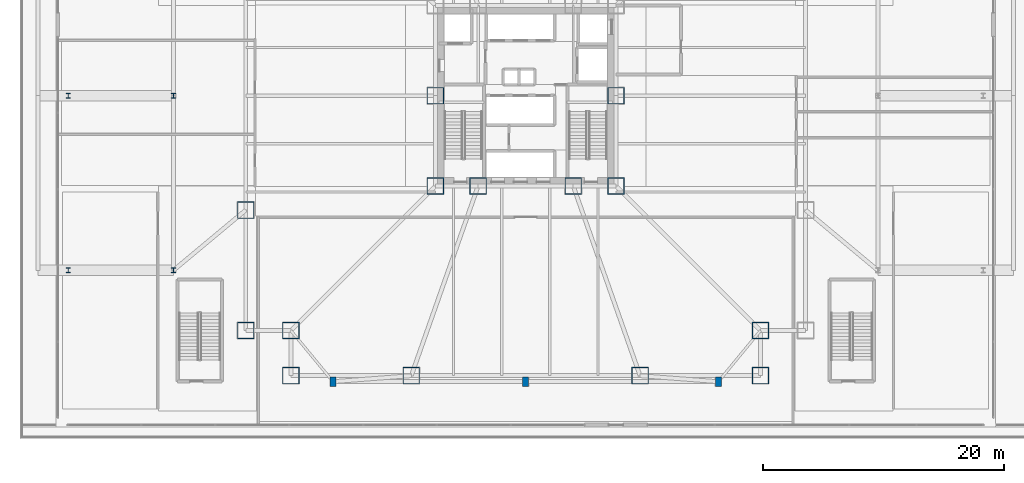
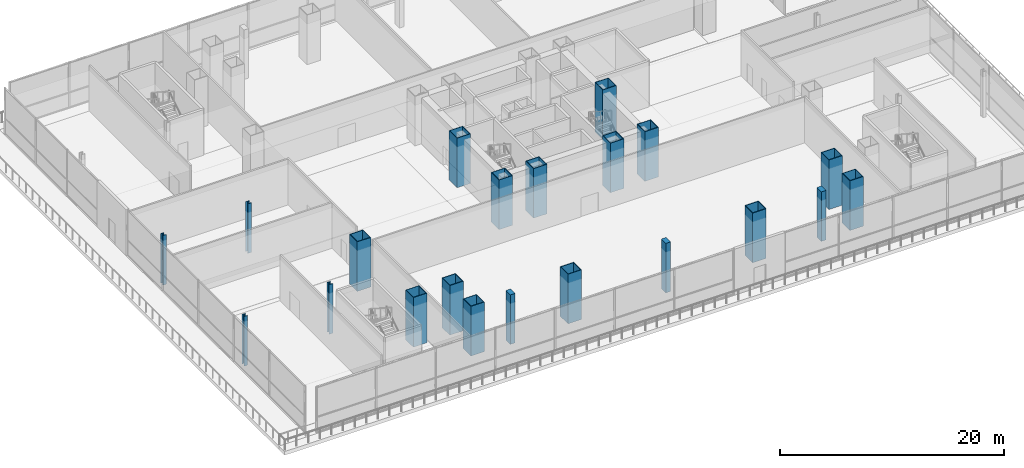
# One storey, part 1 of 36: 21 columns.
"""IFC4 building model written with IfcOpenShell, lengths in metres."""

from ifc_helpers import new_model, si_unit, direction, frame, origin, origin_2d, place, context, subcontext, project, spatial, rectangle, hollow_rectangle, i_section, extrude, material, material_profile, profile_set, type_object, element, save


model = new_model("IFC4")

# Units and contexts
model_context = context("Model", 3, precision=1e-05, world=origin(), true_north=direction((0.0, 1.0)))
body_context = subcontext(model_context, "Body", "Model", "MODEL_VIEW")
ifc_project = project(units=[si_unit("LENGTHUNIT", "METRE"), si_unit("AREAUNIT", "SQUARE_METRE"), si_unit("VOLUMEUNIT", "CUBIC_METRE"), si_unit("PLANEANGLEUNIT", "RADIAN"), si_unit("MASSUNIT", "GRAM", prefix="KILO")], contexts=[model_context])

# Site, building, storey
site_placement = place(None, origin())
site = spatial("IfcSite", under=ifc_project, at=site_placement, CompositionType="ELEMENT")
building_placement = place(site_placement, origin())
building = spatial("IfcBuilding", under=site, at=building_placement, Name="Trevonay Congress Spire", CompositionType="ELEMENT")
storey_placement = place(building_placement, frame((0.0, 0.0, 5.39990234375)))
storey = spatial("IfcBuildingStorey", under=building, at=storey_placement, Name="L01", CompositionType="ELEMENT", Elevation=5.39990234375)

# Columns
ifc_material_1 = material(Name="Steel ASTM A572 Grade 50", Category="steel")
ifc_material_profile_1 = material_profile(ifc_material_1, hollow_rectangle(XDim=1.39990234375, YDim=1.39990234375, WallThickness=0.06005859375, at=origin_2d()), Name="BOX 1400x1400x60")
ifc_profile_set_1 = profile_set([ifc_material_profile_1], Name="Steel ASTM A572 Grade 50")
column_type_1 = type_object("IfcColumnType", Name="COL-CORE-BOX1400", PredefinedType="COLUMN", material=ifc_profile_set_1)
for number, where, z_axis, x_axis, name in (
    (1, (-7.5, -7.5, 0.0), (0.0, 0.0, 1.0), (1.0, 0.0, 0.0), "L01 column C01 at CC-SW"),
    (2, (-3.949951171875, -7.5, 0.0), (0.0, 0.0, 1.0), (1.0, 0.0, 0.0), "L01 column C01 at CC-SMW"),
    (3, (3.949951171875, -7.5, 0.0), (0.0, 0.0, 1.0), (1.0, 0.0, 0.0), "L01 column C01 at CC-SME"),
    (4, (7.5, -7.5, 0.0), (0.0, 0.0, 1.0), (1.0, 0.0, 0.0), "L01 column C01 at CC-SE"),
    (5, (7.5, 0.0, 0.0), (0.0, 0.0, 1.0), (1.0, 0.0, 0.0), "L01 column C01 at CC-E"),
    (6, (-7.5, 0.0, 0.0), (0.0, 0.0, 1.0), (1.0, 0.0, 0.0), "L01 column C01 at CC-W"),
    (7, (-19.5, -23.25, 0.0), (0.0, 0.0, 1.0), (1.0, 0.0, 0.0), "L01 column C01 at TM-S1"),
    (8, (-9.5, -23.25, 0.0), (0.0, 0.0, 1.0), (1.0, 0.0, 0.0), "L01 column C01 at TM-S2"),
    (9, (9.5, -23.25, 0.0), (0.0, 0.0, 1.0), (1.0, 0.0, 0.0), "L01 column C01 at TM-S5"),
    (10, (19.5, -23.25, 0.0), (0.0, 0.0, 1.0), (1.0, 0.0, 0.0), "L01 column C01 at TM-S6"),
    (11, (-23.25, -19.5, 0.0), (0.0, 0.0, 1.0), (1.0, 0.0, 0.0), "L01 column C01 at TM-W1"),
    (12, (-23.25, -9.5, 0.0), (0.0, 0.0, 1.0), (1.0, 0.0, 0.0), "L01 column C01 at TM-W2"),
    (13, (-19.5, -19.5, 0.0), (0.0, 0.0, 1.0), (1.0, 0.0, 0.0), "L01 column C01 at TM-CSW"),
    (14, (19.5, -19.5, 0.0), (0.0, 0.0, 1.0), (1.0, 0.0, 0.0), "L01 column C01 at TM-CSE"),
):
    element("IfcColumn", number, at=place(storey_placement, frame(where, z_axis=z_axis, x_axis=x_axis)), inside=storey, type_object=column_type_1, Name=name, PredefinedType="COLUMN", context=body_context, shape_type="SweptSolid", body=[
        extrude(hollow_rectangle(XDim=1.39990234375, YDim=1.39990234375, WallThickness=0.06005859375, at=origin_2d()), origin(), (0.0, 0.0, 1.0), 5.400146484375),
    ])
ifc_material_2 = material(Name="Concrete C60/75", Category="concrete")
ifc_material_profile_2 = material_profile(ifc_material_2, rectangle(XDim=0.5, YDim=0.800048828125, at=origin_2d()), Name="RC 800x500")
ifc_profile_set_2 = profile_set([ifc_material_profile_2], Name="Concrete C60/75")
column_type_2 = type_object("IfcColumnType", Name="COL-PIL-RC800X500", PredefinedType="PILASTER", material=ifc_profile_set_2)
for number, where, z_axis, x_axis, name in (
    (15, (-16.0, -23.75, 0.0), (0.0, 0.0, 1.0), (1.0, 0.0, 0.0), "L01 column C13 at PS-1"),
    (16, (0.0, -23.75, 0.0), (0.0, 0.0, 1.0), (1.0, 0.0, 0.0), "L01 column C13 at PS-2"),
    (17, (16.0, -23.75, 0.0), (0.0, 0.0, 1.0), (1.0, 0.0, 0.0), "L01 column C13 at PS-3"),
):
    element("IfcColumn", number, at=place(storey_placement, frame(where, z_axis=z_axis, x_axis=x_axis)), inside=storey, type_object=column_type_2, Name=name, PredefinedType="PILASTER", context=body_context, shape_type="SweptSolid", body=[
        extrude(rectangle(XDim=0.5, YDim=0.800048828125, at=origin_2d()), origin(), (0.0, 0.0, 1.0), 5.400146484375),
    ])
ifc_material_profile_3 = material_profile(ifc_material_1, i_section(OverallWidth=0.367919921875, OverallDepth=0.425048828125, WebThickness=0.02978515625, FlangeThickness=0.047607421875, FilletRadius=0.02001953125, at=origin_2d()), Name="W360x421")
ifc_profile_set_3 = profile_set([ifc_material_profile_3], Name="Steel ASTM A572 Grade 50")
column_type_3 = type_object("IfcColumnType", Name="COL-POD-W360X421", PredefinedType="COLUMN", material=ifc_profile_set_3)
for number, where, z_axis, x_axis, name in (
    (18, (-29.25, -14.5, 0.0), (0.0, 0.0, 1.0), (1.0, 0.0, 0.0), "L01 column C08 at PW-1"),
    (19, (-29.25, 0.0, 0.0), (0.0, 0.0, 1.0), (1.0, 0.0, 0.0), "L01 column C08 at PW-2"),
):
    element("IfcColumn", number, at=place(storey_placement, frame(where, z_axis=z_axis, x_axis=x_axis)), inside=storey, type_object=column_type_3, Name=name, PredefinedType="COLUMN", context=body_context, shape_type="SweptSolid", body=[
        extrude(i_section(OverallWidth=0.367919921875, OverallDepth=0.425048828125, WebThickness=0.02978515625, FlangeThickness=0.047607421875, FilletRadius=0.02001953125, at=origin_2d()), origin(), (0.0, 0.0, 1.0), 5.400146484375),
    ])
ifc_material_profile_4 = material_profile(ifc_material_1, i_section(OverallWidth=0.35205078125, OverallDepth=0.406982421875, WebThickness=0.024658203125, FlangeThickness=0.039794921875, FilletRadius=0.02001953125, at=origin_2d()), Name="W360x347")
ifc_profile_set_4 = profile_set([ifc_material_profile_4], Name="Steel ASTM A572 Grade 50")
column_type_4 = type_object("IfcColumnType", Name="COL-STEP-W360X347", PredefinedType="COLUMN", material=ifc_profile_set_4)
for number, where, z_axis, x_axis, name in (
    (20, (-38.0, -14.5, -0.39990234375), (0.0, 0.0, 1.0), (1.0, 0.0, 0.0), "L01 column C09 at SW-1"),
    (21, (-38.0, 0.0, -0.39990234375), (0.0, 0.0, 1.0), (1.0, 0.0, 0.0), "L01 column C09 at SW-2"),
):
    element("IfcColumn", number, at=place(storey_placement, frame(where, z_axis=z_axis, x_axis=x_axis)), inside=storey, type_object=column_type_4, Name=name, PredefinedType="COLUMN", context=body_context, shape_type="SweptSolid", body=[
        extrude(i_section(OverallWidth=0.35205078125, OverallDepth=0.406982421875, WebThickness=0.024658203125, FlangeThickness=0.039794921875, FilletRadius=0.02001953125, at=origin_2d()), origin(), (0.0, 0.0, 1.0), 5.39990234375),
    ])

save(model, "model.ifc")
